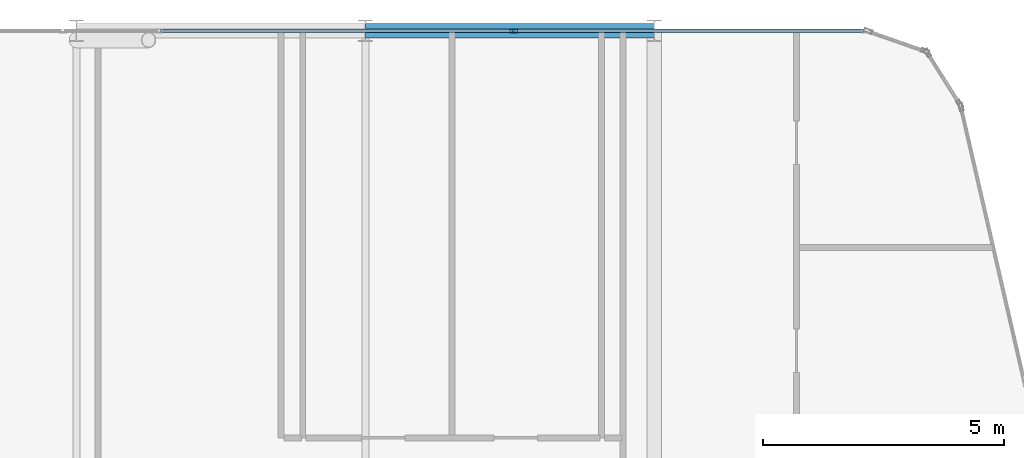
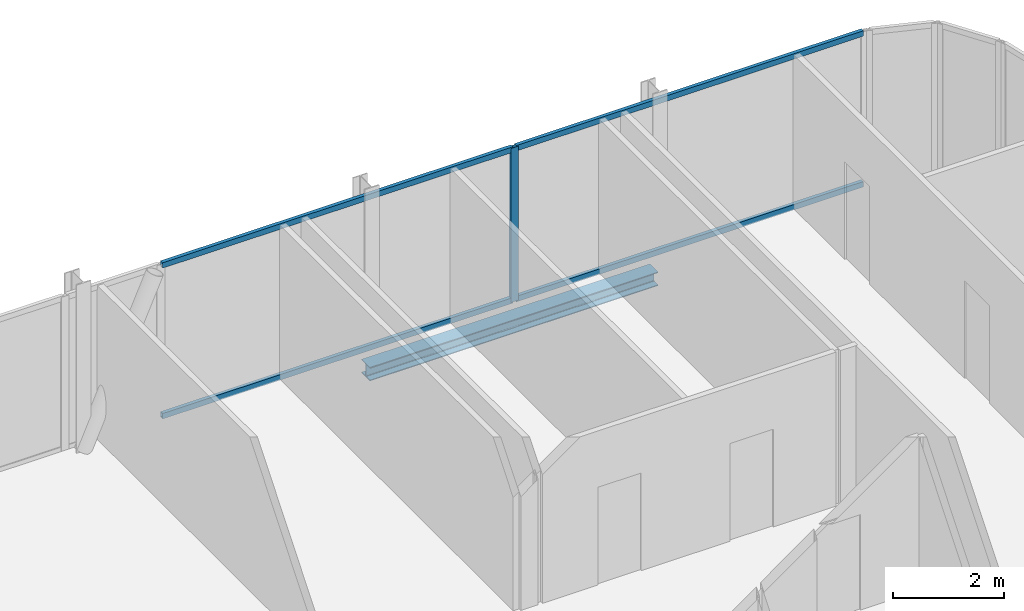
# One storey, part 19 of 29: 5 members, 1 beam, 1 element without a shape of its own.
"""IFC4 building model written with IfcOpenShell, lengths in metres."""

import ifcopenshell
import ifcopenshell.guid

model = None  # the IFC model being written
_history = None  # IfcOwnerHistory: only IFC2X3 demands one
_inside = {}  # id of a spatial element -> (the spatial element, [elements in it])
_under = {}  # id of a project, library or spatial element -> (it, [spatial elements below it])
_declared = {}  # id of a project -> (the project, [libraries it declares])
_typed = {}  # id of a type object -> (the type object, [elements of that type])
_made_of = {}  # id of a material, layer set ... -> (it, [elements and type objects made of it])


def new_model(schema):
    """Start an empty IFC model of exactly this schema.

    Asked for "IFC4X3", IfcOpenShell would pick the latest addendum, in which some entities
    have other attributes; the version numbers below select the first issue.
    IFC2X3 requires an IfcOwnerHistory on every rooted entity: one is made here for all.
    """
    global model, _history
    if schema == "IFC4X3":
        model = ifcopenshell.file(schema_version=(4, 3, 0, 0))
    else:
        model = ifcopenshell.file(schema=schema)
    _inside.clear()
    _under.clear()
    _declared.clear()
    _typed.clear()
    _made_of.clear()
    _history = None
    if model.schema == "IFC2X3":
        org = make("IfcOrganization", Name="unknown")
        user = make(
            "IfcPersonAndOrganization",
            ThePerson=make("IfcPerson", FamilyName="unknown"),
            TheOrganization=org,
        )
        app = make(
            "IfcApplication",
            ApplicationDeveloper=org,
            Version="unknown",
            ApplicationFullName="unknown",
            ApplicationIdentifier="unknown",
        )
        _history = make(
            "IfcOwnerHistory",
            OwningUser=user,
            OwningApplication=app,
            ChangeAction="ADDED",
            CreationDate=0,
        )
    return model


def make(cls, **values):
    """One entity of the class cls with the attributes given. An attribute that is None is left unset."""
    return model.create_entity(
        cls, **{name: value for name, value in values.items() if value is not None}
    )


def rooted(cls, **values):
    """An entity with a GlobalId (a new one), such as an element, a storey or a relation."""
    return make(cls, GlobalId=ifcopenshell.guid.new(), OwnerHistory=_history, **values)


def si_unit(unit_type, name, prefix=None):
    """IfcSIUnit, for example si_unit("LENGTHUNIT", "METRE", prefix="MILLI")."""
    return make("IfcSIUnit", UnitType=unit_type, Prefix=prefix, Name=name)


def assignment(units):
    """IfcUnitAssignment: the units of a project."""
    return None if units is None else make("IfcUnitAssignment", Units=units)


def point(xyz):
    """IfcCartesianPoint."""
    return None if xyz is None else make("IfcCartesianPoint", Coordinates=xyz)


def direction(xyz):
    """IfcDirection."""
    return None if xyz is None else make("IfcDirection", DirectionRatios=xyz)


def frame(location, z_axis=None, x_axis=None):
    """IfcAxis2Placement3D, a coordinate frame: its origin and axes. An axis left out is left unset."""
    return make(
        "IfcAxis2Placement3D",
        Location=point(location),
        Axis=direction(z_axis),
        RefDirection=direction(x_axis),
    )


def frame_2d(location, x_axis=None):
    """IfcAxis2Placement2D, a coordinate frame in the plane: its origin and x axis."""
    return make(
        "IfcAxis2Placement2D", Location=point(location), RefDirection=direction(x_axis)
    )


def origin():
    """The frame at (0, 0, 0) with its axes left unset."""
    return frame((0.0, 0.0, 0.0))


def origin_2d():
    """The frame at (0, 0) in the plane with its x axis left unset."""
    return frame_2d((0.0, 0.0))


def place(relative_to, where):
    """IfcLocalPlacement: puts the frame where relative to a parent placement (None: the world)."""
    return make(
        "IfcLocalPlacement", PlacementRelTo=relative_to, RelativePlacement=where
    )


def context(
    kind, dimensions, precision=None, world=None, true_north=None, identifier=None
):
    """IfcGeometricRepresentationContext, for example the 3D "Model" context."""
    return make(
        "IfcGeometricRepresentationContext",
        ContextIdentifier=identifier,
        ContextType=kind,
        CoordinateSpaceDimension=dimensions,
        Precision=precision,
        WorldCoordinateSystem=world,
        TrueNorth=true_north,
    )


def subcontext(parent, identifier, kind, view, scale=None):
    """IfcGeometricRepresentationSubContext, for example "Body" below "Model"."""
    return make(
        "IfcGeometricRepresentationSubContext",
        ContextIdentifier=identifier,
        ContextType=kind,
        ParentContext=parent,
        TargetScale=scale,
        TargetView=view,
    )


def project(units=None, contexts=None):
    """IfcProject with its units and contexts."""
    return rooted(
        "IfcProject",
        Name="project",
        RepresentationContexts=contexts,
        UnitsInContext=assignment(units),
    )


def spatial(cls, under=None, at=None, **own):
    """A site, building, storey or space (cls), placed at a placement, below another one or the project."""
    s = rooted(cls, ObjectPlacement=at, **own)
    if under is not None:
        _under.setdefault(under.id(), (under, []))[1].append(s)
    return s


def profile(cls, at=None, kind="AREA", **sizes):
    """A parametric profile (cls). Its sizes go by their IFC names, for example OverallWidth=200.0."""
    return make(cls, ProfileType=kind, Position=at, **sizes)


def hollow_rectangle(**sizes):
    """IfcRectangleHollowProfileDef."""
    return profile("IfcRectangleHollowProfileDef", **sizes)


def i_section(**sizes):
    """IfcIShapeProfileDef."""
    return profile("IfcIShapeProfileDef", **sizes)


def extrude(swept, where, along, depth):
    """IfcExtrudedAreaSolid: the profile swept, set in the frame where, extruded along a direction by depth."""
    return make(
        "IfcExtrudedAreaSolid",
        SweptArea=swept,
        Position=where,
        ExtrudedDirection=direction(along),
        Depth=depth,
    )


def shape(context_of_items, identifier, shape_type, items):
    """IfcShapeRepresentation: the items that make up one representation, for example the "Body"."""
    return make(
        "IfcShapeRepresentation",
        ContextOfItems=context_of_items,
        RepresentationIdentifier=identifier,
        RepresentationType=shape_type,
        Items=items,
    )


def material(Name=None, Category=None):
    """IfcMaterial."""
    return make("IfcMaterial", Name=Name, Category=Category)


def layer(
    of_material, thickness, ventilated=None, Name=None, Category=None, Priority=None
):
    """IfcMaterialLayer: one layer of a wall or slab, of a material (None: an air gap)."""
    return make(
        "IfcMaterialLayer",
        Material=of_material,
        LayerThickness=thickness,
        IsVentilated=ventilated,
        Name=Name,
        Category=Category,
        Priority=Priority,
    )


def layer_set(layers, Name=None):
    """IfcMaterialLayerSet."""
    return make("IfcMaterialLayerSet", MaterialLayers=layers, LayerSetName=Name)


def material_profile(
    of_material, cross_section, Name=None, Category=None, Priority=None
):
    """IfcMaterialProfile: a cross section and its material."""
    return make(
        "IfcMaterialProfile",
        Name=Name,
        Material=of_material,
        Profile=cross_section,
        Priority=Priority,
        Category=Category,
    )


def profile_set(profiles, Name=None, composite=None):
    """IfcMaterialProfileSet."""
    return make(
        "IfcMaterialProfileSet",
        Name=Name,
        MaterialProfiles=profiles,
        CompositeProfile=composite,
    )


def made_of(thing, what):
    """Note that an element or type object is made of a material, layer set ...; save() writes the relation."""
    if what is not None:
        _made_of.setdefault(what.id(), (what, []))[1].append(thing)
    return thing


def type_object(cls, material=None, **own):
    """A type object (cls), such as IfcWallType, which elements share."""
    return made_of(rooted(cls, **own), material)


def element(
    cls,
    number,
    at=None,
    inside=None,
    cuts=None,
    type_object=None,
    material=None,
    context=None,
    identifier="Body",
    shape_type=None,
    held_by="IfcProductDefinitionShape",
    body=None,
    shapes=None,
    **own,
):
    """One element of the class cls, such as IfcWall. Its Tag is "e" and its number.

    at: its placement. inside: the storey or other place that contains it. cuts: it is an
    opening in that element (IfcRelVoidsElement). A single representation is given by context,
    identifier, shape_type and body (its items); several are given by shapes. held_by: the class
    of the entity that holds the representations. save() writes the other relations.
    """
    e = rooted(cls, Tag="e%d" % number, ObjectPlacement=at, **own)
    if body is not None:
        shapes = [shape(context, identifier, shape_type, body)]
    if shapes is not None:
        e.Representation = make(held_by, Representations=shapes)
    if inside is not None:
        _inside.setdefault(inside.id(), (inside, []))[1].append(e)
    if cuts is not None:
        rooted(
            "IfcRelVoidsElement", RelatingBuildingElement=cuts, RelatedOpeningElement=e
        )
    if type_object is not None:
        _typed.setdefault(type_object.id(), (type_object, []))[1].append(e)
    return made_of(e, material)


def aggregate(whole, parts):
    """IfcRelAggregates: a whole, such as a stair, and the parts it consists of."""
    return rooted("IfcRelAggregates", RelatingObject=whole, RelatedObjects=parts)


def save(model, path):
    """Write the relations noted so far, then the file.

    IfcRelAggregates (storeys below a building ...), IfcRelContainedInSpatialStructure (elements
    in a storey), IfcRelDefinesByType, IfcRelAssociatesMaterial and IfcRelDeclares: one each for
    every whole, place, type object, material and project.
    """
    for whole, parts in _under.values():
        aggregate(whole, parts)
    for where, things in _inside.values():
        rooted(
            "IfcRelContainedInSpatialStructure",
            RelatedElements=things,
            RelatingStructure=where,
        )
    for kind, things in _typed.values():
        rooted("IfcRelDefinesByType", RelatedObjects=things, RelatingType=kind)
    for what, things in _made_of.values():
        rooted("IfcRelAssociatesMaterial", RelatedObjects=things, RelatingMaterial=what)
    for by, libraries in _declared.values():
        rooted("IfcRelDeclares", RelatingContext=by, RelatedDefinitions=libraries)
    model.write(path)


model = new_model("IFC4")

# Units and contexts
model_context = context("Model", 3, precision=1e-05, world=origin(), true_north=direction((0.0, 1.0)))
body_context = subcontext(model_context, "Body", "Model", "MODEL_VIEW")
ifc_project = project(units=[si_unit("LENGTHUNIT", "METRE"), si_unit("AREAUNIT", "SQUARE_METRE"), si_unit("VOLUMEUNIT", "CUBIC_METRE"), si_unit("PLANEANGLEUNIT", "RADIAN"), si_unit("MASSUNIT", "GRAM", prefix="KILO")], contexts=[model_context])

# Site, building, storey
site_placement = place(None, origin())
site = spatial("IfcSite", under=ifc_project, at=site_placement, CompositionType="ELEMENT")
building_placement = place(site_placement, origin())
building = spatial("IfcBuilding", under=site, at=building_placement, Name="Keshet Zoharim Tower", CompositionType="ELEMENT")
storey_placement = place(building_placement, frame((0.0, 0.0, 169.10009765625)))
storey = spatial("IfcBuildingStorey", under=building, at=storey_placement, Name="L41", CompositionType="ELEMENT", Elevation=169.10009765625)

# Beam
ifc_material_1 = material(Name="Steel S355", Category="steel")
ifc_material_profile_1 = material_profile(ifc_material_1, i_section(OverallWidth=0.300048828125, OverallDepth=0.300048828125, WebThickness=0.010986328125, FlangeThickness=0.01904296875, FilletRadius=0.027099609375, at=origin_2d()), Name="HEB300")
ifc_profile_set_1 = profile_set([ifc_material_profile_1], Name="Steel S355")
beam_type = type_object("IfcBeamType", Name="BM-PRI-HB300", PredefinedType="BEAM", material=ifc_profile_set_1)
beam_placement = place(storey_placement, frame((27.0, 53.89990234375, -0.460205078125), z_axis=(1.0, 0.0, 0.0), x_axis=(0.0, 1.0, 0.0)))
element("IfcBeam", 1, at=beam_placement, inside=storey, type_object=beam_type, Name="L41 Primary Girder X-020", PredefinedType="BEAM", context=body_context, shape_type="SweptSolid", body=[
    extrude(i_section(OverallWidth=0.300048828125, OverallDepth=0.300048828125, WebThickness=0.010986328125, FlangeThickness=0.01904296875, FilletRadius=0.027099609375, at=origin_2d()), origin(), (0.0, 0.0, 1.0), 6.0),
])

# Curtain wall, members
ifc_material_2 = material(Name="Aluminium 6063-T6", Category="aluminium")
ifc_layer = layer(ifc_material_2, 0.139892578125)
ifc_layer_set = layer_set([ifc_layer], Name="Aluminium 6063-T6")
curtain_wall_type = type_object("IfcCurtainWallType", Name="CW-SYS-05", PredefinedType="NOTDEFINED", material=ifc_layer_set)
curtain_wall_placement = place(storey_placement, origin())
curtain_wall = element("IfcCurtainWall", 2, at=curtain_wall_placement, inside=storey, type_object=curtain_wall_type, Name="L41 Unitised Curtain Wall 16 Part 3", PredefinedType="NOTDEFINED")
ifc_material_profile_2 = material_profile(ifc_material_2, hollow_rectangle(XDim=0.074951171875, YDim=0.159912109375, WallThickness=0.00390625, at=origin_2d()), Name="MUL-75x160")
ifc_profile_set_2 = profile_set([ifc_material_profile_2], Name="Aluminium 6063-T6")
member_type_1 = type_object("IfcMemberType", Name="CWM-M15", PredefinedType="MULLION", material=ifc_profile_set_2)
member_1_placement = place(storey_placement, frame((30.07861328125, 53.89990234375, 0.0), z_axis=(0.0, 0.0, 1.0), x_axis=(0.0, 1.0, 0.0)))
member_1 = element("IfcMember", 3, at=member_1_placement, type_object=member_type_1, Name="CW-05 mullion 2", PredefinedType="MULLION", context=body_context, shape_type="SweptSolid", body=[
    extrude(hollow_rectangle(XDim=0.074951171875, YDim=0.159912109375, WallThickness=0.00390625, at=origin_2d()), origin(), (0.0, 0.0, 1.0), 3.389892578125),
])
ifc_material_profile_3 = material_profile(ifc_material_2, hollow_rectangle(XDim=0.074951171875, YDim=0.1201171875, WallThickness=0.00390625, at=origin_2d()), Name="TRN-75x120")
ifc_profile_set_3 = profile_set([ifc_material_profile_3], Name="Aluminium 6063-T6")
member_type_2 = type_object("IfcMemberType", Name="CWT-T12", PredefinedType="USERDEFINED", material=ifc_profile_set_3)
member_2_placement = place(storey_placement, frame((22.748046875, 53.89990234375, 0.034912109375), z_axis=(1.0, 0.0, 0.0), x_axis=(0.0, 1.0, 0.0)))
member_2 = element("IfcMember", 4, at=member_2_placement, type_object=member_type_2, Name="CW-05 transom 1.1", ObjectType="TRANSOM", PredefinedType="USERDEFINED", context=body_context, shape_type="SweptSolid", body=[
    extrude(hollow_rectangle(XDim=0.074951171875, YDim=0.1201171875, WallThickness=0.00390625, at=origin_2d()), origin(), (0.0, 0.0, 1.0), 7.29541015625),
])
member_3_placement = place(storey_placement, frame((22.748046875, 53.89990234375, 3.35498046875), z_axis=(1.0, 0.0, 0.0), x_axis=(0.0, 1.0, 0.0)))
member_3 = element("IfcMember", 5, at=member_3_placement, type_object=member_type_2, Name="CW-05 transom 1.2", ObjectType="TRANSOM", PredefinedType="USERDEFINED", context=body_context, shape_type="SweptSolid", body=[
    extrude(hollow_rectangle(XDim=0.074951171875, YDim=0.1201171875, WallThickness=0.00390625, at=origin_2d()), origin(), (0.0, 0.0, 1.0), 7.29541015625),
])
member_4_placement = place(storey_placement, frame((30.113525390625, 53.89990234375, 0.034912109375), z_axis=(1.0, 0.0, 0.0), x_axis=(0.0, 1.0, 0.0)))
member_4 = element("IfcMember", 6, at=member_4_placement, type_object=member_type_2, Name="CW-05 transom 2.1", ObjectType="TRANSOM", PredefinedType="USERDEFINED", context=body_context, shape_type="SweptSolid", body=[
    extrude(hollow_rectangle(XDim=0.074951171875, YDim=0.1201171875, WallThickness=0.00390625, at=origin_2d()), origin(), (0.0, 0.0, 1.0), 7.2255859375),
])
member_5_placement = place(storey_placement, frame((30.113525390625, 53.89990234375, 3.35498046875), z_axis=(1.0, 0.0, 0.0), x_axis=(0.0, 1.0, 0.0)))
member_5 = element("IfcMember", 7, at=member_5_placement, type_object=member_type_2, Name="CW-05 transom 2.2", ObjectType="TRANSOM", PredefinedType="USERDEFINED", context=body_context, shape_type="SweptSolid", body=[
    extrude(hollow_rectangle(XDim=0.074951171875, YDim=0.1201171875, WallThickness=0.00390625, at=origin_2d()), origin(), (0.0, 0.0, 1.0), 7.2255859375),
])
aggregate(curtain_wall, [member_1, member_2, member_3, member_4, member_5])

save(model, "model.ifc")
